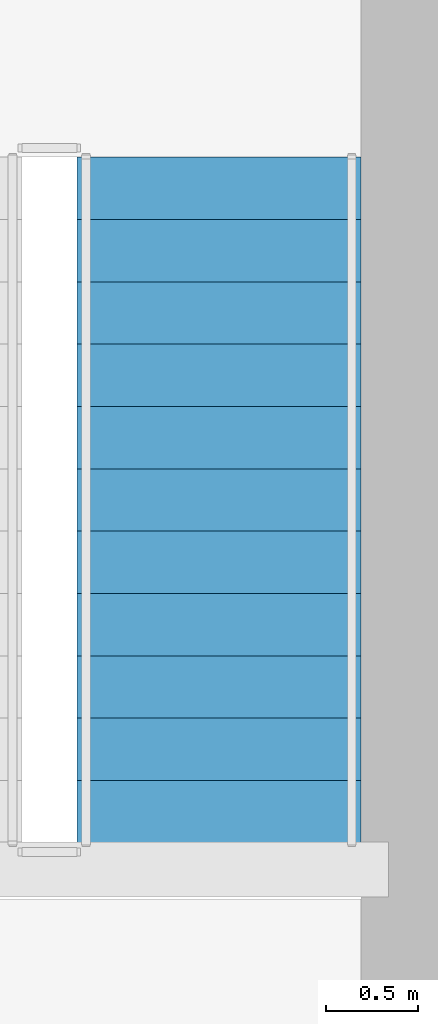
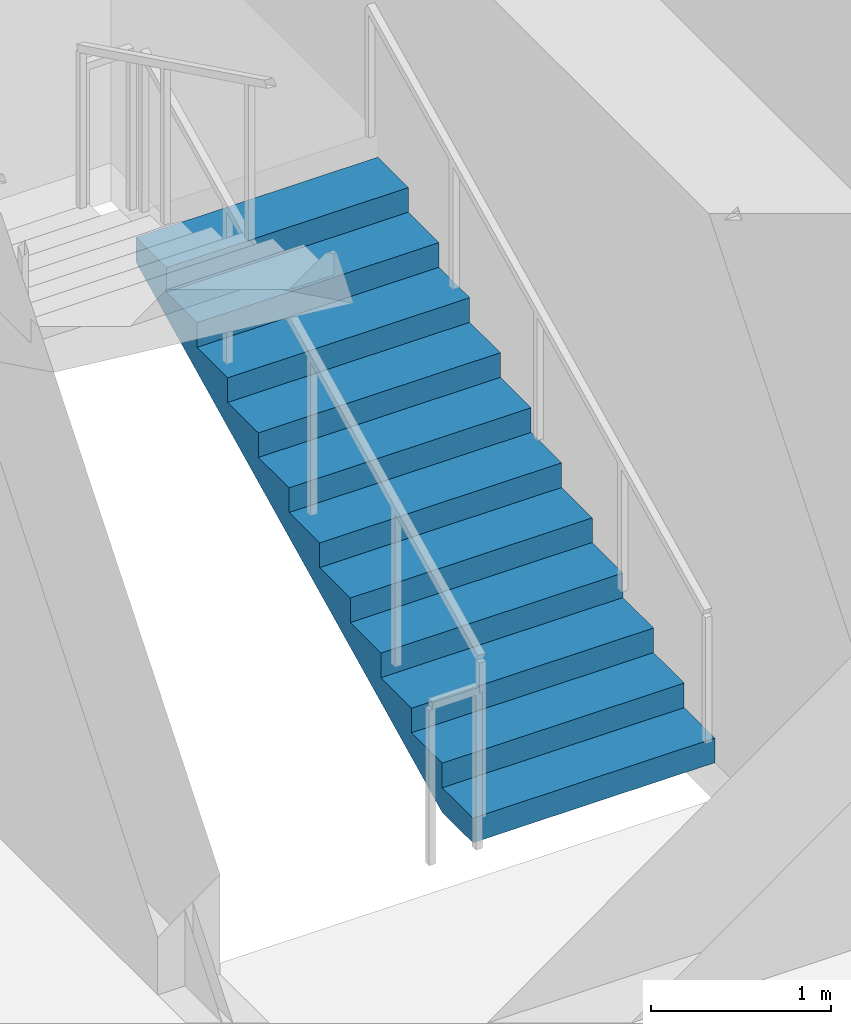
# One storey, part 20 of 23: 1 stair flight, 1 element without a shape of its own.
"""IFC4 building model written with IfcOpenShell, lengths in metres."""

from ifc_helpers import new_model, si_unit, direction, frame, origin, place, context, subcontext, project, spatial, polyline, outline, extrude, material, type_object, element, aggregate, save


model = new_model("IFC4")

# Units and contexts
model_context = context("Model", 3, precision=1e-05, world=origin(), true_north=direction((0.0, 1.0)))
body_context = subcontext(model_context, "Body", "Model", "MODEL_VIEW")
ifc_project = project(units=[si_unit("LENGTHUNIT", "METRE"), si_unit("AREAUNIT", "SQUARE_METRE"), si_unit("VOLUMEUNIT", "CUBIC_METRE"), si_unit("PLANEANGLEUNIT", "RADIAN"), si_unit("MASSUNIT", "GRAM", prefix="KILO")], contexts=[model_context])

# Site, building, storey
site_placement = place(None, origin())
site = spatial("IfcSite", under=ifc_project, at=site_placement, CompositionType="ELEMENT")
building_placement = place(site_placement, origin())
building = spatial("IfcBuilding", under=site, at=building_placement, Name="Tavrogorsk Clinical Tower", CompositionType="ELEMENT")
storey_placement = place(building_placement, frame((0.0, 0.0, 329.0)))
storey = spatial("IfcBuildingStorey", under=building, at=storey_placement, Name="L77", CompositionType="ELEMENT", Elevation=329.0)

# Stair, stair flight
ifc_material_1 = material(Name="Concrete B60", Category="concrete")
stair_type = type_object("IfcStairType", Name="CoreStairAssembly", PredefinedType="HALF_TURN_STAIR", material=ifc_material_1)
stair_placement = place(storey_placement, origin())
stair = element("IfcStair", 1, at=stair_placement, inside=storey, type_object=stair_type, Name="L77 ST-E", PredefinedType="HALF_TURN_STAIR")
ifc_material_2 = material(Name="Concrete B60", Category="concrete")
stair_flight_type = type_object("IfcStairFlightType", Name="CoreStairFlight", PredefinedType="STRAIGHT", material=ifc_material_2)
stair_flight_placement = place(storey_placement, frame((20.425048828125, -2.574951171875, 0.0), z_axis=(0.0, 0.0, 1.0), x_axis=(0.0, 1.0, 0.0)))
stair_flight = element("IfcStairFlight", 2, at=stair_flight_placement, type_object=stair_flight_type, Name="ST-E flight 1", NumberOfRisers=12, NumberOfTreads=11, PredefinedType="STRAIGHT", RiserHeight=0.166666667, TreadLength=0.34, context=body_context, shape_type="SweptSolid", body=[
    extrude(outline(polyline([(0.0, 0.0), (0.0, 0.166748046875), (0.340087890625, 0.166748046875), (0.340087890625, 0.333251953125), (0.679931640625, 0.333251953125), (0.679931640625, 0.5), (1.02001953125, 0.5), (1.02001953125, 0.666748046875), (1.360107421875, 0.666748046875), (1.360107421875, 0.833251953125), (1.699951171875, 0.833251953125), (1.699951171875, 1.0), (2.0400390625, 1.0), (2.0400390625, 1.166748046875), (2.3798828125, 1.166748046875), (2.3798828125, 1.333251953125), (2.719970703125, 1.333251953125), (2.719970703125, 1.5), (3.06005859375, 1.5), (3.06005859375, 1.666748046875), (3.39990234375, 1.666748046875), (3.39990234375, 1.833251953125), (3.739990234375, 1.833251953125), (3.739990234375, 2.0), (3.739990234375, 1.66650390625), (0.340576171875, 0.0), (0.0, 0.0)])), frame((0.0, 0.77490234375, 0.0), z_axis=(0.0, -1.0, 0.0), x_axis=(1.0, 0.0, 0.0)), (0.0, 0.0, 1.0), 1.550048828125),
])
aggregate(stair, [stair_flight])

save(model, "model.ifc")
